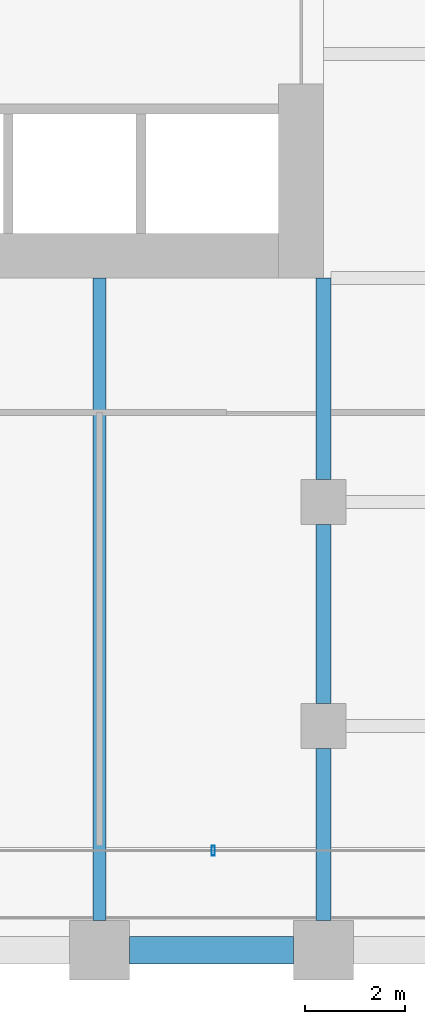
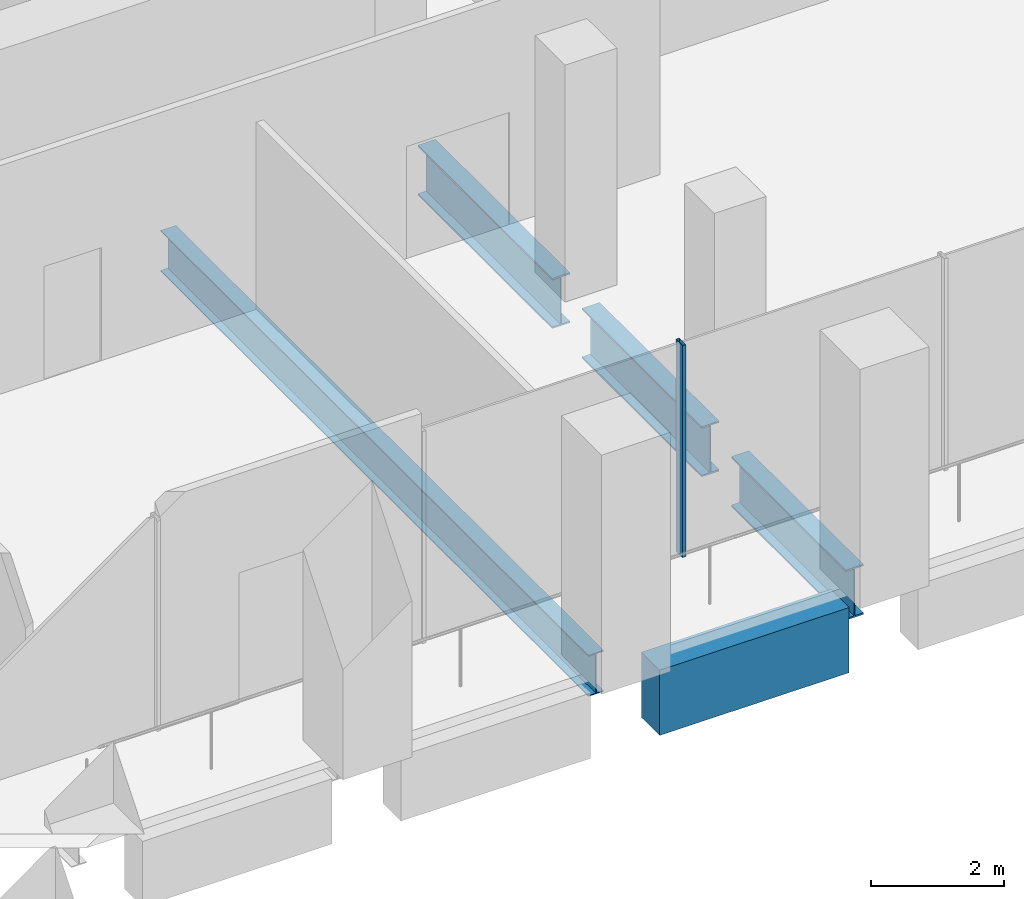
# One storey, part 6 of 36: 5 beams, 1 member, 1 element without a shape of its own.
"""IFC4 building model written with IfcOpenShell, lengths in metres."""

from ifc_helpers import new_model, si_unit, direction, frame, origin, origin_2d, place, context, subcontext, project, spatial, rectangle, hollow_rectangle, i_section, extrude, material, material_profile, profile_set, type_object, element, aggregate, save


model = new_model("IFC4")

# Units and contexts
model_context = context("Model", 3, precision=1e-05, world=origin(), true_north=direction((0.0, 1.0)))
body_context = subcontext(model_context, "Body", "Model", "MODEL_VIEW")
ifc_project = project(units=[si_unit("LENGTHUNIT", "METRE"), si_unit("AREAUNIT", "SQUARE_METRE"), si_unit("VOLUMEUNIT", "CUBIC_METRE"), si_unit("PLANEANGLEUNIT", "RADIAN"), si_unit("MASSUNIT", "GRAM", prefix="KILO")], contexts=[model_context])

# Site, building, storey
site_placement = place(None, origin())
site = spatial("IfcSite", under=ifc_project, at=site_placement, CompositionType="ELEMENT")
building_placement = place(site_placement, origin())
building = spatial("IfcBuilding", under=site, at=building_placement, Name="Altepetl Exchange Towers", CompositionType="ELEMENT")
storey_placement = place(building_placement, frame((0.0, 0.0, 38.60009765625)))
storey = spatial("IfcBuildingStorey", under=building, at=storey_placement, Name="L08", CompositionType="ELEMENT", Elevation=38.60009765625)

# Beams
ifc_material_1 = material(Name="Steel S355", Category="steel")
ifc_material_profile_1 = material_profile(ifc_material_1, i_section(OverallWidth=0.26611328125, OverallDepth=0.758056640625, WebThickness=0.013916015625, FlangeThickness=0.019287109375, at=origin_2d()), Name="W30X108")
ifc_profile_set_1 = profile_set([ifc_material_profile_1], Name="Steel S355")
beam_type_1 = type_object("IfcBeamType", Name="Floor beam W30X108", PredefinedType="BEAM", material=ifc_profile_set_1)
beam_1_placement = place(storey_placement, frame((54.0, 27.60009765625, -0.55419921875), z_axis=(0.0, 1.0, 0.0), x_axis=(-1.0, 0.0, 0.0)))
element("IfcBeam", 1, at=beam_1_placement, inside=storey, type_object=beam_type_1, Name="bm:A:L08:017", PredefinedType="BEAM", context=body_context, shape_type="SweptSolid", body=[
    extrude(i_section(OverallWidth=0.26611328125, OverallDepth=0.758056640625, WebThickness=0.013916015625, FlangeThickness=0.019287109375, at=origin_2d()), origin(), (0.0, 0.0, 1.0), 12.89990234375),
])
ifc_material_profile_2 = material_profile(ifc_material_1, i_section(OverallWidth=0.306884765625, OverallDepth=0.923095703125, WebThickness=0.018310546875, FlangeThickness=0.030029296875, at=origin_2d()), Name="W36X182")
ifc_profile_set_2 = profile_set([ifc_material_profile_2], Name="Steel S355")
beam_type_2 = type_object("IfcBeamType", Name="Girder W36X182", PredefinedType="BEAM", material=ifc_profile_set_2)
beam_2_placement = place(storey_placement, frame((58.5, 40.5, -0.63671875), z_axis=(0.0, -1.0, 0.0), x_axis=(1.0, 0.0, 0.0)))
element("IfcBeam", 2, at=beam_2_placement, inside=storey, type_object=beam_type_2, Name="gd:A:L08:006", PredefinedType="BEAM", context=body_context, shape_type="SweptSolid", body=[
    extrude(i_section(OverallWidth=0.306884765625, OverallDepth=0.923095703125, WebThickness=0.018310546875, FlangeThickness=0.030029296875, at=origin_2d()), origin(), (0.0, 0.0, 1.0), 4.050048828125),
])
beam_3_placement = place(storey_placement, frame((58.5, 35.550048828125, -0.63671875), z_axis=(0.0, -1.0, 0.0), x_axis=(1.0, 0.0, 0.0)))
element("IfcBeam", 3, at=beam_3_placement, inside=storey, type_object=beam_type_2, Name="gd:A:L08:007", PredefinedType="BEAM", context=body_context, shape_type="SweptSolid", body=[
    extrude(i_section(OverallWidth=0.306884765625, OverallDepth=0.923095703125, WebThickness=0.018310546875, FlangeThickness=0.030029296875, at=origin_2d()), origin(), (0.0, 0.0, 1.0), 3.60009765625),
])
beam_4_placement = place(storey_placement, frame((58.5, 31.050048828125, -0.63671875), z_axis=(0.0, -1.0, 0.0), x_axis=(1.0, 0.0, 0.0)))
element("IfcBeam", 4, at=beam_4_placement, inside=storey, type_object=beam_type_2, Name="gd:A:L08:008", PredefinedType="BEAM", context=body_context, shape_type="SweptSolid", body=[
    extrude(i_section(OverallWidth=0.306884765625, OverallDepth=0.923095703125, WebThickness=0.018310546875, FlangeThickness=0.030029296875, at=origin_2d()), origin(), (0.0, 0.0, 1.0), 3.449951171875),
])

# Curtain wall, member
ifc_material_2 = material(Name="Aluminium 6063-T6 glazing", Category="aluminium")
curtain_wall_type = type_object("IfcCurtainWallType", Name="Trading floor glazing system", PredefinedType="NOTDEFINED", material=ifc_material_2)
curtain_wall_placement = place(storey_placement, origin())
curtain_wall = element("IfcCurtainWall", 5, at=curtain_wall_placement, inside=storey, type_object=curtain_wall_type, Name="CW2 run", PredefinedType="NOTDEFINED")
ifc_material_3 = material(Name="Aluminium 6063-T6", Category="aluminium")
ifc_material_profile_3 = material_profile(ifc_material_3, hollow_rectangle(XDim=0.06005859375, YDim=0.199951171875, WallThickness=0.0029296875, at=origin_2d()), Name="Mullion 60x200 aluminium")
ifc_profile_set_3 = profile_set([ifc_material_profile_3], Name="Aluminium 6063-T6")
member_type = type_object("IfcMemberType", Name="Mullion 60x200 aluminium", PredefinedType="MULLION", material=ifc_profile_set_3)
member_placement = place(storey_placement, frame((56.28564453125, 29.0, 0.0)))
member = element("IfcMember", 6, at=member_placement, type_object=member_type, Name="MU2 mullion", PredefinedType="MULLION", context=body_context, shape_type="SweptSolid", body=[
    extrude(hollow_rectangle(XDim=0.06005859375, YDim=0.199951171875, WallThickness=0.0029296875, at=origin_2d()), origin(), (0.0, 0.0, 1.0), 3.89990234375),
])
aggregate(curtain_wall, [member])

# Beam
ifc_material_4 = material(Name="Concrete C50/60 precast with cantera blanca facing", Category="concrete")
ifc_material_profile_4 = material_profile(ifc_material_4, rectangle(XDim=0.550048828125, YDim=1.199951171875, at=origin_2d()), Name="550 x 1200")
ifc_profile_set_4 = profile_set([ifc_material_profile_4], Name="Concrete C50/60 precast with cantera blanca facing")
beam_type_3 = type_object("IfcBeamType", Name="Spandrel beam 550x1200 cantera blanca", PredefinedType="SPANDREL", material=ifc_profile_set_4)
beam_5_placement = place(storey_placement, frame((54.60009765625, 27.0, -0.775146484375), z_axis=(1.0, 0.0, 0.0), x_axis=(0.0, 1.0, 0.0)))
element("IfcBeam", 7, at=beam_5_placement, inside=storey, type_object=beam_type_3, Name="sp:A:L08:005", PredefinedType="SPANDREL", context=body_context, shape_type="SweptSolid", body=[
    extrude(rectangle(XDim=0.550048828125, YDim=1.199951171875, at=origin_2d()), origin(), (0.0, 0.0, 1.0), 3.2998046875),
])

save(model, "model.ifc")
